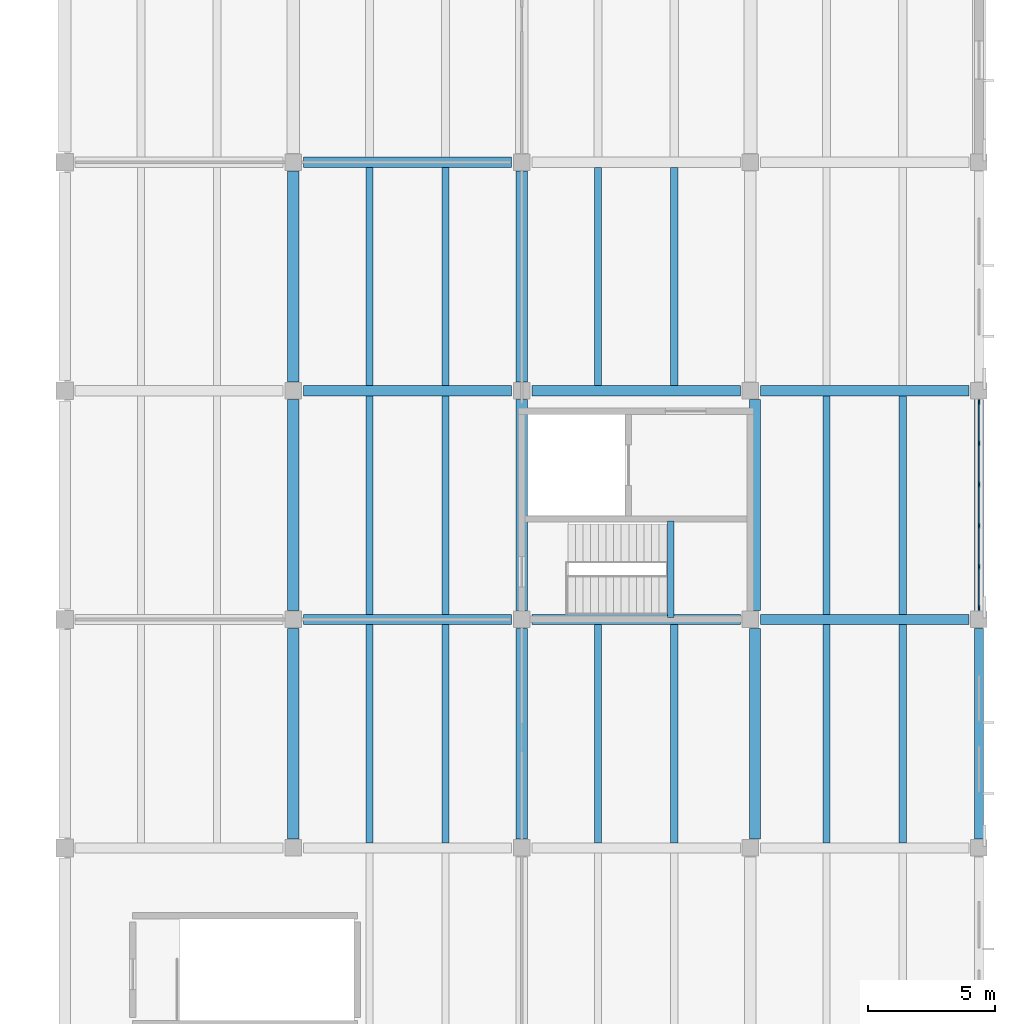
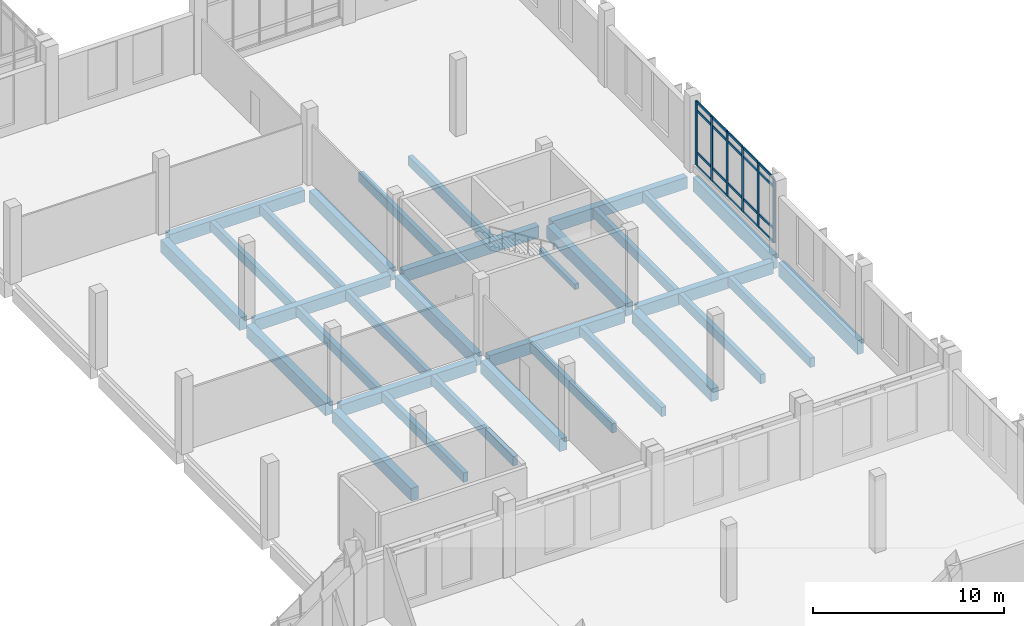
# One storey, part 45 of 110: 32 beams, 26 members, 1 element without a shape of its own.
"""IFC4 building model written with IfcOpenShell, lengths in metres."""

from ifc_helpers import new_model, si_unit, direction, frame, origin, origin_2d, place, context, subcontext, project, spatial, rectangle, extrude, material, layer, layer_set, material_profile, profile_set, type_object, element, aggregate, save


model = new_model("IFC4")

# Units and contexts
model_context = context("Model", 3, precision=1e-05, world=origin(), true_north=direction((0.0, 1.0)))
body_context = subcontext(model_context, "Body", "Model", "MODEL_VIEW")
ifc_project = project(units=[si_unit("LENGTHUNIT", "METRE"), si_unit("AREAUNIT", "SQUARE_METRE"), si_unit("VOLUMEUNIT", "CUBIC_METRE"), si_unit("PLANEANGLEUNIT", "RADIAN"), si_unit("MASSUNIT", "GRAM", prefix="KILO")], contexts=[model_context])

# Site, building, storey
site_placement = place(None, origin())
site = spatial("IfcSite", under=ifc_project, at=site_placement, CompositionType="ELEMENT")
building_placement = place(site_placement, origin())
building = spatial("IfcBuilding", under=site, at=building_placement, Name="Zacnel Wholesale Market", CompositionType="ELEMENT")
storey_placement = place(building_placement, frame((0.0, 0.0, 6.300048828125)))
storey = spatial("IfcBuildingStorey", under=building, at=storey_placement, Name="L02", CompositionType="ELEMENT", Elevation=6.300048828125)

# Beams
ifc_material_1 = material(Name="Precast concrete C45/55", Category="concrete")
ifc_material_profile_1 = material_profile(ifc_material_1, rectangle(XDim=0.280029296875, YDim=0.60009765625, at=origin_2d()), Name="DT RIB 280x600")
ifc_profile_set_1 = profile_set([ifc_material_profile_1], Name="Precast concrete C45/55")
beam_type_1 = type_object("IfcBeamType", Name="BM-DT600", PredefinedType="JOIST", material=ifc_profile_set_1)
for number, where, z_axis, x_axis, name in (
    (1, (192.0, 57.199951171875, -0.60009765625), (0.0, 1.0, 0.0), (-1.0, 0.0, 0.0), "Precast secondary joist L02-0217"),
    (2, (195.0, 57.199951171875, -0.60009765625), (0.0, 1.0, 0.0), (-1.0, 0.0, 0.0), "Precast secondary joist L02-0218"),
    (3, (201.0, 57.199951171875, -0.60009765625), (0.0, 1.0, 0.0), (-1.0, 0.0, 0.0), "Precast secondary joist L02-0219"),
    (4, (204.0, 57.199951171875, -0.60009765625), (0.0, 1.0, 0.0), (-1.0, 0.0, 0.0), "Precast secondary joist L02-0220"),
    (5, (210.0, 57.199951171875, -0.60009765625), (0.0, 1.0, 0.0), (-1.0, 0.0, 0.0), "Precast secondary joist L02-0221"),
    (6, (213.0, 57.199951171875, -0.60009765625), (0.0, 1.0, 0.0), (-1.0, 0.0, 0.0), "Precast secondary joist L02-0222"),
    (7, (192.0, 66.199951171875, -0.60009765625), (0.0, 1.0, 0.0), (-1.0, 0.0, 0.0), "Precast secondary joist L02-0237"),
    (8, (195.0, 66.199951171875, -0.60009765625), (0.0, 1.0, 0.0), (-1.0, 0.0, 0.0), "Precast secondary joist L02-0238"),
    (9, (210.0, 66.199951171875, -0.60009765625), (0.0, 1.0, 0.0), (-1.0, 0.0, 0.0), "Precast secondary joist L02-0239"),
    (10, (213.0, 66.199951171875, -0.60009765625), (0.0, 1.0, 0.0), (-1.0, 0.0, 0.0), "Precast secondary joist L02-0240"),
    (11, (192.0, 75.199951171875, -0.60009765625), (0.0, 1.0, 0.0), (-1.0, 0.0, 0.0), "Precast secondary joist L02-0253"),
    (12, (195.0, 75.199951171875, -0.60009765625), (0.0, 1.0, 0.0), (-1.0, 0.0, 0.0), "Precast secondary joist L02-0254"),
    (13, (201.0, 75.199951171875, -0.60009765625), (0.0, 1.0, 0.0), (-1.0, 0.0, 0.0), "Precast secondary joist L02-0255"),
    (14, (204.0, 75.199951171875, -0.60009765625), (0.0, 1.0, 0.0), (-1.0, 0.0, 0.0), "Precast secondary joist L02-0256"),
):
    element("IfcBeam", number, at=place(storey_placement, frame(where, z_axis=z_axis, x_axis=x_axis)), inside=storey, type_object=beam_type_1, Name=name, PredefinedType="JOIST", context=body_context, shape_type="SweptSolid", body=[
        extrude(rectangle(XDim=0.280029296875, YDim=0.60009765625, at=origin_2d()), origin(), (0.0, 0.0, 1.0), 8.60009765625),
    ])
ifc_material_2 = material(Name="Precast concrete C45/55", Category="concrete")
ifc_material_profile_2 = material_profile(ifc_material_2, rectangle(XDim=0.25, YDim=0.35009765625, at=origin_2d()), Name="LN 250x350")
ifc_profile_set_2 = profile_set([ifc_material_profile_2], Name="Precast concrete C45/55")
beam_type_2 = type_object("IfcBeamType", Name="BM-LN350", PredefinedType="LINTEL", material=ifc_profile_set_2)
beam_placement = place(storey_placement, frame((203.860107421875, 66.080078125, 2.074951171875), z_axis=(0.0, 1.0, 0.0), x_axis=(-1.0, 0.0, 0.0)))
element("IfcBeam", 15, at=beam_placement, inside=storey, type_object=beam_type_2, Name="Stair ST-27 half-landing bearing beam", PredefinedType="LINTEL", context=body_context, shape_type="SweptSolid", body=[
    extrude(rectangle(XDim=0.25, YDim=0.35009765625, at=origin_2d()), origin(), (0.0, 0.0, 1.0), 3.7900390625),
])
ifc_material_3 = material(Name="Precast concrete C45/55", Category="concrete")
ifc_material_profile_3 = material_profile(ifc_material_3, rectangle(XDim=0.39990234375, YDim=0.75, at=origin_2d()), Name="PG 400x750")
ifc_profile_set_3 = profile_set([ifc_material_profile_3], Name="Precast concrete C45/55")
beam_type_3 = type_object("IfcBeamType", Name="BM-PG750", PredefinedType="BEAM", material=ifc_profile_set_3)
for number, where, z_axis, x_axis, name in (
    (16, (189.39990234375, 66.0, -0.675048828125), (1.0, 0.0, 0.0), (0.0, 1.0, 0.0), "Precast girder X-0182"),
    (17, (198.39990234375, 66.0, -0.675048828125), (1.0, 0.0, 0.0), (0.0, 1.0, 0.0), "Precast girder X-0183"),
    (18, (207.39990234375, 66.0, -0.675048828125), (1.0, 0.0, 0.0), (0.0, 1.0, 0.0), "Precast girder X-0184"),
    (19, (189.39990234375, 75.0, -0.675048828125), (1.0, 0.0, 0.0), (0.0, 1.0, 0.0), "Precast girder X-0194"),
    (20, (198.39990234375, 75.0, -0.675048828125), (1.0, 0.0, 0.0), (0.0, 1.0, 0.0), "Precast girder X-0195"),
    (21, (207.39990234375, 75.0, -0.675048828125), (1.0, 0.0, 0.0), (0.0, 1.0, 0.0), "Precast girder X-0196"),
    (22, (189.39990234375, 84.0, -0.675048828125), (1.0, 0.0, 0.0), (0.0, 1.0, 0.0), "Precast girder X-0206"),
):
    element("IfcBeam", number, at=place(storey_placement, frame(where, z_axis=z_axis, x_axis=x_axis)), inside=storey, type_object=beam_type_3, Name=name, PredefinedType="BEAM", context=body_context, shape_type="SweptSolid", body=[
        extrude(rectangle(XDim=0.39990234375, YDim=0.75, at=origin_2d()), origin(), (0.0, 0.0, 1.0), 8.2001953125),
    ])
ifc_material_4 = material(Name="Precast concrete C45/55", Category="concrete")
ifc_material_profile_4 = material_profile(ifc_material_4, rectangle(XDim=0.449951171875, YDim=0.800048828125, at=origin_2d()), Name="PG 450x800")
ifc_profile_set_4 = profile_set([ifc_material_profile_4], Name="Precast concrete C45/55")
beam_type_4 = type_object("IfcBeamType", Name="BM-PG800", PredefinedType="BEAM", material=ifc_profile_set_4)
for number, where, z_axis, x_axis, name in (
    (23, (189.0, 57.35009765625, -0.699951171875), (0.0, 1.0, 0.0), (-1.0, 0.0, 0.0), "Precast girder Y-0519"),
    (24, (189.0, 66.35009765625, -0.699951171875), (0.0, 1.0, 0.0), (-1.0, 0.0, 0.0), "Precast girder Y-0520"),
    (25, (189.0, 75.35009765625, -0.699951171875), (0.0, 1.0, 0.0), (-1.0, 0.0, 0.0), "Precast girder Y-0521"),
    (26, (198.0, 57.35009765625, -0.699951171875), (0.0, 1.0, 0.0), (-1.0, 0.0, 0.0), "Precast girder Y-0531"),
    (27, (198.0, 66.35009765625, -0.699951171875), (0.0, 1.0, 0.0), (-1.0, 0.0, 0.0), "Precast girder Y-0532"),
    (28, (198.0, 75.35009765625, -0.699951171875), (0.0, 1.0, 0.0), (-1.0, 0.0, 0.0), "Precast girder Y-0533"),
    (29, (207.179931640625, 57.35009765625, -0.699951171875), (0.0, 1.0, 0.0), (-1.0, 0.0, 0.0), "Precast girder Y-0542"),
    (30, (207.179931640625, 66.35009765625, -0.699951171875), (0.0, 1.0, 0.0), (-1.0, 0.0, 0.0), "Precast girder Y-0543"),
):
    element("IfcBeam", number, at=place(storey_placement, frame(where, z_axis=z_axis, x_axis=x_axis)), inside=storey, type_object=beam_type_4, Name=name, PredefinedType="BEAM", context=body_context, shape_type="SweptSolid", body=[
        extrude(rectangle(XDim=0.449951171875, YDim=0.800048828125, at=origin_2d()), origin(), (0.0, 0.0, 1.0), 8.2998046875),
    ])
ifc_material_5 = material(Name="Precast concrete C45/55", Category="concrete")
ifc_material_profile_5 = material_profile(ifc_material_5, rectangle(XDim=0.35009765625, YDim=0.89990234375, at=origin_2d()), Name="SP 350x900")
ifc_profile_set_5 = profile_set([ifc_material_profile_5], Name="Precast concrete C45/55")
beam_type_5 = type_object("IfcBeamType", Name="BM-SP900", PredefinedType="SPANDREL", material=ifc_profile_set_5)
for number, where, z_axis, x_axis, name in (
    (31, (216.0, 57.35009765625, -0.75), (0.0, 1.0, 0.0), (-1.0, 0.0, 0.0), "Precast girder Y-0553"),
    (32, (216.0, 66.35009765625, -0.75), (0.0, 1.0, 0.0), (-1.0, 0.0, 0.0), "Precast girder Y-0554"),
):
    element("IfcBeam", number, at=place(storey_placement, frame(where, z_axis=z_axis, x_axis=x_axis)), inside=storey, type_object=beam_type_5, Name=name, PredefinedType="SPANDREL", context=body_context, shape_type="SweptSolid", body=[
        extrude(rectangle(XDim=0.35009765625, YDim=0.89990234375, at=origin_2d()), origin(), (0.0, 0.0, 1.0), 8.2998046875),
    ])

# Curtain wall, members
ifc_material_6 = material(Name="Anodised aluminium", Category="aluminium")
ifc_layer = layer(ifc_material_6, 0.159912109375)
ifc_layer_set = layer_set([ifc_layer], Name="Anodised aluminium")
curtain_wall_type = type_object("IfcCurtainWallType", Name="CW-COURT-4500", PredefinedType="NOTDEFINED", material=ifc_layer_set)
curtain_wall_placement = place(storey_placement, origin())
curtain_wall = element("IfcCurtainWall", 33, at=curtain_wall_placement, inside=storey, type_object=curtain_wall_type, Name="Curtain wall ENV-R2-CW-L02-047", PredefinedType="NOTDEFINED")
ifc_material_7 = material(Name="Anodised aluminium", Category="aluminium")
ifc_material_profile_6 = material_profile(ifc_material_7, rectangle(XDim=0.070068359375, YDim=0.199951171875, at=origin_2d()), Name="AW-MULLION 70x200")
ifc_profile_set_6 = profile_set([ifc_material_profile_6], Name="Anodised aluminium")
member_type_1 = type_object("IfcMemberType", Name="CWM-MUL-02", PredefinedType="MULLION", material=ifc_profile_set_6)
member_1_placement = place(storey_placement, frame((216.0, 66.449951171875, 0.449951171875), z_axis=(0.0, 0.0, 1.0), x_axis=(1.0, 0.0, 0.0)))
member_1 = element("IfcMember", 34, at=member_1_placement, type_object=member_type_1, Name="ENV-R2-CW-L02-047 mullion 01", PredefinedType="MULLION", context=body_context, shape_type="SweptSolid", body=[
    extrude(rectangle(XDim=0.070068359375, YDim=0.199951171875, at=origin_2d()), origin(), (0.0, 0.0, 1.0), 4.10009765625),
])
member_2_placement = place(storey_placement, frame((216.0, 68.070068359375, 0.449951171875), z_axis=(0.0, 0.0, 1.0), x_axis=(1.0, 0.0, 0.0)))
member_2 = element("IfcMember", 35, at=member_2_placement, type_object=member_type_1, Name="ENV-R2-CW-L02-047 mullion 02", PredefinedType="MULLION", context=body_context, shape_type="SweptSolid", body=[
    extrude(rectangle(XDim=0.070068359375, YDim=0.199951171875, at=origin_2d()), origin(), (0.0, 0.0, 1.0), 4.10009765625),
])
member_3_placement = place(storey_placement, frame((216.0, 69.68994140625, 0.449951171875), z_axis=(0.0, 0.0, 1.0), x_axis=(1.0, 0.0, 0.0)))
member_3 = element("IfcMember", 36, at=member_3_placement, type_object=member_type_1, Name="ENV-R2-CW-L02-047 mullion 03", PredefinedType="MULLION", context=body_context, shape_type="SweptSolid", body=[
    extrude(rectangle(XDim=0.070068359375, YDim=0.199951171875, at=origin_2d()), origin(), (0.0, 0.0, 1.0), 4.10009765625),
])
member_4_placement = place(storey_placement, frame((216.0, 71.31005859375, 0.449951171875), z_axis=(0.0, 0.0, 1.0), x_axis=(1.0, 0.0, 0.0)))
member_4 = element("IfcMember", 37, at=member_4_placement, type_object=member_type_1, Name="ENV-R2-CW-L02-047 mullion 04", PredefinedType="MULLION", context=body_context, shape_type="SweptSolid", body=[
    extrude(rectangle(XDim=0.070068359375, YDim=0.199951171875, at=origin_2d()), origin(), (0.0, 0.0, 1.0), 4.10009765625),
])
member_5_placement = place(storey_placement, frame((216.0, 72.929931640625, 0.449951171875), z_axis=(0.0, 0.0, 1.0), x_axis=(1.0, 0.0, 0.0)))
member_5 = element("IfcMember", 38, at=member_5_placement, type_object=member_type_1, Name="ENV-R2-CW-L02-047 mullion 05", PredefinedType="MULLION", context=body_context, shape_type="SweptSolid", body=[
    extrude(rectangle(XDim=0.070068359375, YDim=0.199951171875, at=origin_2d()), origin(), (0.0, 0.0, 1.0), 4.10009765625),
])
member_6_placement = place(storey_placement, frame((216.0, 74.550048828125, 0.449951171875), z_axis=(0.0, 0.0, 1.0), x_axis=(1.0, 0.0, 0.0)))
member_6 = element("IfcMember", 39, at=member_6_placement, type_object=member_type_1, Name="ENV-R2-CW-L02-047 mullion 06", PredefinedType="MULLION", context=body_context, shape_type="SweptSolid", body=[
    extrude(rectangle(XDim=0.070068359375, YDim=0.199951171875, at=origin_2d()), origin(), (0.0, 0.0, 1.0), 4.10009765625),
])
ifc_material_8 = material(Name="Anodised aluminium", Category="aluminium")
ifc_material_profile_7 = material_profile(ifc_material_8, rectangle(XDim=0.070068359375, YDim=0.159912109375, at=origin_2d()), Name="AW-TRANSOM 70x160")
ifc_profile_set_7 = profile_set([ifc_material_profile_7], Name="Anodised aluminium")
member_type_2 = type_object("IfcMemberType", Name="CWM-TRN-02", PredefinedType="USERDEFINED", material=ifc_profile_set_7)
member_7_placement = place(storey_placement, frame((216.0, 66.485107421875, 0.449951171875), z_axis=(0.0, 1.0, 0.0), x_axis=(-1.0, 0.0, 0.0)))
member_7 = element("IfcMember", 40, at=member_7_placement, type_object=member_type_2, Name="ENV-R2-CW-L02-047 transom 1-1", ObjectType="TRANSOM", PredefinedType="USERDEFINED", context=body_context, shape_type="SweptSolid", body=[
    extrude(rectangle(XDim=0.070068359375, YDim=0.159912109375, at=origin_2d()), origin(), (0.0, 0.0, 1.0), 1.5498046875),
])
member_8_placement = place(storey_placement, frame((216.0, 66.485107421875, 1.300048828125), z_axis=(0.0, 1.0, 0.0), x_axis=(-1.0, 0.0, 0.0)))
member_8 = element("IfcMember", 41, at=member_8_placement, type_object=member_type_2, Name="ENV-R2-CW-L02-047 transom 1-2", ObjectType="TRANSOM", PredefinedType="USERDEFINED", context=body_context, shape_type="SweptSolid", body=[
    extrude(rectangle(XDim=0.070068359375, YDim=0.159912109375, at=origin_2d()), origin(), (0.0, 0.0, 1.0), 1.5498046875),
])
member_9_placement = place(storey_placement, frame((216.0, 66.485107421875, 4.0), z_axis=(0.0, 1.0, 0.0), x_axis=(-1.0, 0.0, 0.0)))
member_9 = element("IfcMember", 42, at=member_9_placement, type_object=member_type_2, Name="ENV-R2-CW-L02-047 transom 1-3", ObjectType="TRANSOM", PredefinedType="USERDEFINED", context=body_context, shape_type="SweptSolid", body=[
    extrude(rectangle(XDim=0.070068359375, YDim=0.159912109375, at=origin_2d()), origin(), (0.0, 0.0, 1.0), 1.5498046875),
])
member_10_placement = place(storey_placement, frame((216.0, 66.485107421875, 4.550048828125), z_axis=(0.0, 1.0, 0.0), x_axis=(-1.0, 0.0, 0.0)))
member_10 = element("IfcMember", 43, at=member_10_placement, type_object=member_type_2, Name="ENV-R2-CW-L02-047 transom 1-4", ObjectType="TRANSOM", PredefinedType="USERDEFINED", context=body_context, shape_type="SweptSolid", body=[
    extrude(rectangle(XDim=0.070068359375, YDim=0.159912109375, at=origin_2d()), origin(), (0.0, 0.0, 1.0), 1.5498046875),
])
member_11_placement = place(storey_placement, frame((216.0, 68.10498046875, 0.449951171875), z_axis=(0.0, 1.0, 0.0), x_axis=(-1.0, 0.0, 0.0)))
member_11 = element("IfcMember", 44, at=member_11_placement, type_object=member_type_2, Name="ENV-R2-CW-L02-047 transom 2-1", ObjectType="TRANSOM", PredefinedType="USERDEFINED", context=body_context, shape_type="SweptSolid", body=[
    extrude(rectangle(XDim=0.070068359375, YDim=0.159912109375, at=origin_2d()), origin(), (0.0, 0.0, 1.0), 1.550048828125),
])
member_12_placement = place(storey_placement, frame((216.0, 68.10498046875, 1.300048828125), z_axis=(0.0, 1.0, 0.0), x_axis=(-1.0, 0.0, 0.0)))
member_12 = element("IfcMember", 45, at=member_12_placement, type_object=member_type_2, Name="ENV-R2-CW-L02-047 transom 2-2", ObjectType="TRANSOM", PredefinedType="USERDEFINED", context=body_context, shape_type="SweptSolid", body=[
    extrude(rectangle(XDim=0.070068359375, YDim=0.159912109375, at=origin_2d()), origin(), (0.0, 0.0, 1.0), 1.550048828125),
])
member_13_placement = place(storey_placement, frame((216.0, 68.10498046875, 4.0), z_axis=(0.0, 1.0, 0.0), x_axis=(-1.0, 0.0, 0.0)))
member_13 = element("IfcMember", 46, at=member_13_placement, type_object=member_type_2, Name="ENV-R2-CW-L02-047 transom 2-3", ObjectType="TRANSOM", PredefinedType="USERDEFINED", context=body_context, shape_type="SweptSolid", body=[
    extrude(rectangle(XDim=0.070068359375, YDim=0.159912109375, at=origin_2d()), origin(), (0.0, 0.0, 1.0), 1.550048828125),
])
member_14_placement = place(storey_placement, frame((216.0, 68.10498046875, 4.550048828125), z_axis=(0.0, 1.0, 0.0), x_axis=(-1.0, 0.0, 0.0)))
member_14 = element("IfcMember", 47, at=member_14_placement, type_object=member_type_2, Name="ENV-R2-CW-L02-047 transom 2-4", ObjectType="TRANSOM", PredefinedType="USERDEFINED", context=body_context, shape_type="SweptSolid", body=[
    extrude(rectangle(XDim=0.070068359375, YDim=0.159912109375, at=origin_2d()), origin(), (0.0, 0.0, 1.0), 1.550048828125),
])
member_15_placement = place(storey_placement, frame((216.0, 69.72509765625, 0.449951171875), z_axis=(0.0, 1.0, 0.0), x_axis=(-1.0, 0.0, 0.0)))
member_15 = element("IfcMember", 48, at=member_15_placement, type_object=member_type_2, Name="ENV-R2-CW-L02-047 transom 3-1", ObjectType="TRANSOM", PredefinedType="USERDEFINED", context=body_context, shape_type="SweptSolid", body=[
    extrude(rectangle(XDim=0.070068359375, YDim=0.159912109375, at=origin_2d()), origin(), (0.0, 0.0, 1.0), 1.5498046875),
])
member_16_placement = place(storey_placement, frame((216.0, 69.72509765625, 1.300048828125), z_axis=(0.0, 1.0, 0.0), x_axis=(-1.0, 0.0, 0.0)))
member_16 = element("IfcMember", 49, at=member_16_placement, type_object=member_type_2, Name="ENV-R2-CW-L02-047 transom 3-2", ObjectType="TRANSOM", PredefinedType="USERDEFINED", context=body_context, shape_type="SweptSolid", body=[
    extrude(rectangle(XDim=0.070068359375, YDim=0.159912109375, at=origin_2d()), origin(), (0.0, 0.0, 1.0), 1.5498046875),
])
member_17_placement = place(storey_placement, frame((216.0, 69.72509765625, 4.0), z_axis=(0.0, 1.0, 0.0), x_axis=(-1.0, 0.0, 0.0)))
member_17 = element("IfcMember", 50, at=member_17_placement, type_object=member_type_2, Name="ENV-R2-CW-L02-047 transom 3-3", ObjectType="TRANSOM", PredefinedType="USERDEFINED", context=body_context, shape_type="SweptSolid", body=[
    extrude(rectangle(XDim=0.070068359375, YDim=0.159912109375, at=origin_2d()), origin(), (0.0, 0.0, 1.0), 1.5498046875),
])
member_18_placement = place(storey_placement, frame((216.0, 69.72509765625, 4.550048828125), z_axis=(0.0, 1.0, 0.0), x_axis=(-1.0, 0.0, 0.0)))
member_18 = element("IfcMember", 51, at=member_18_placement, type_object=member_type_2, Name="ENV-R2-CW-L02-047 transom 3-4", ObjectType="TRANSOM", PredefinedType="USERDEFINED", context=body_context, shape_type="SweptSolid", body=[
    extrude(rectangle(XDim=0.070068359375, YDim=0.159912109375, at=origin_2d()), origin(), (0.0, 0.0, 1.0), 1.5498046875),
])
member_19_placement = place(storey_placement, frame((216.0, 71.344970703125, 0.449951171875), z_axis=(0.0, 1.0, 0.0), x_axis=(-1.0, 0.0, 0.0)))
member_19 = element("IfcMember", 52, at=member_19_placement, type_object=member_type_2, Name="ENV-R2-CW-L02-047 transom 4-1", ObjectType="TRANSOM", PredefinedType="USERDEFINED", context=body_context, shape_type="SweptSolid", body=[
    extrude(rectangle(XDim=0.070068359375, YDim=0.159912109375, at=origin_2d()), origin(), (0.0, 0.0, 1.0), 1.550048828125),
])
member_20_placement = place(storey_placement, frame((216.0, 71.344970703125, 1.300048828125), z_axis=(0.0, 1.0, 0.0), x_axis=(-1.0, 0.0, 0.0)))
member_20 = element("IfcMember", 53, at=member_20_placement, type_object=member_type_2, Name="ENV-R2-CW-L02-047 transom 4-2", ObjectType="TRANSOM", PredefinedType="USERDEFINED", context=body_context, shape_type="SweptSolid", body=[
    extrude(rectangle(XDim=0.070068359375, YDim=0.159912109375, at=origin_2d()), origin(), (0.0, 0.0, 1.0), 1.550048828125),
])
member_21_placement = place(storey_placement, frame((216.0, 71.344970703125, 4.0), z_axis=(0.0, 1.0, 0.0), x_axis=(-1.0, 0.0, 0.0)))
member_21 = element("IfcMember", 54, at=member_21_placement, type_object=member_type_2, Name="ENV-R2-CW-L02-047 transom 4-3", ObjectType="TRANSOM", PredefinedType="USERDEFINED", context=body_context, shape_type="SweptSolid", body=[
    extrude(rectangle(XDim=0.070068359375, YDim=0.159912109375, at=origin_2d()), origin(), (0.0, 0.0, 1.0), 1.550048828125),
])
member_22_placement = place(storey_placement, frame((216.0, 71.344970703125, 4.550048828125), z_axis=(0.0, 1.0, 0.0), x_axis=(-1.0, 0.0, 0.0)))
member_22 = element("IfcMember", 55, at=member_22_placement, type_object=member_type_2, Name="ENV-R2-CW-L02-047 transom 4-4", ObjectType="TRANSOM", PredefinedType="USERDEFINED", context=body_context, shape_type="SweptSolid", body=[
    extrude(rectangle(XDim=0.070068359375, YDim=0.159912109375, at=origin_2d()), origin(), (0.0, 0.0, 1.0), 1.550048828125),
])
member_23_placement = place(storey_placement, frame((216.0, 72.965087890625, 0.449951171875), z_axis=(0.0, 1.0, 0.0), x_axis=(-1.0, 0.0, 0.0)))
member_23 = element("IfcMember", 56, at=member_23_placement, type_object=member_type_2, Name="ENV-R2-CW-L02-047 transom 5-1", ObjectType="TRANSOM", PredefinedType="USERDEFINED", context=body_context, shape_type="SweptSolid", body=[
    extrude(rectangle(XDim=0.070068359375, YDim=0.159912109375, at=origin_2d()), origin(), (0.0, 0.0, 1.0), 1.5498046875),
])
member_24_placement = place(storey_placement, frame((216.0, 72.965087890625, 1.300048828125), z_axis=(0.0, 1.0, 0.0), x_axis=(-1.0, 0.0, 0.0)))
member_24 = element("IfcMember", 57, at=member_24_placement, type_object=member_type_2, Name="ENV-R2-CW-L02-047 transom 5-2", ObjectType="TRANSOM", PredefinedType="USERDEFINED", context=body_context, shape_type="SweptSolid", body=[
    extrude(rectangle(XDim=0.070068359375, YDim=0.159912109375, at=origin_2d()), origin(), (0.0, 0.0, 1.0), 1.5498046875),
])
member_25_placement = place(storey_placement, frame((216.0, 72.965087890625, 4.0), z_axis=(0.0, 1.0, 0.0), x_axis=(-1.0, 0.0, 0.0)))
member_25 = element("IfcMember", 58, at=member_25_placement, type_object=member_type_2, Name="ENV-R2-CW-L02-047 transom 5-3", ObjectType="TRANSOM", PredefinedType="USERDEFINED", context=body_context, shape_type="SweptSolid", body=[
    extrude(rectangle(XDim=0.070068359375, YDim=0.159912109375, at=origin_2d()), origin(), (0.0, 0.0, 1.0), 1.5498046875),
])
member_26_placement = place(storey_placement, frame((216.0, 72.965087890625, 4.550048828125), z_axis=(0.0, 1.0, 0.0), x_axis=(-1.0, 0.0, 0.0)))
member_26 = element("IfcMember", 59, at=member_26_placement, type_object=member_type_2, Name="ENV-R2-CW-L02-047 transom 5-4", ObjectType="TRANSOM", PredefinedType="USERDEFINED", context=body_context, shape_type="SweptSolid", body=[
    extrude(rectangle(XDim=0.070068359375, YDim=0.159912109375, at=origin_2d()), origin(), (0.0, 0.0, 1.0), 1.5498046875),
])
aggregate(curtain_wall, [member_1, member_2, member_3, member_4, member_5, member_6, member_7, member_8, member_9, member_10, member_11, member_12, member_13, member_14, member_15, member_16, member_17, member_18, member_19, member_20, member_21, member_22, member_23, member_24, member_25, member_26])

save(model, "model.ifc")
